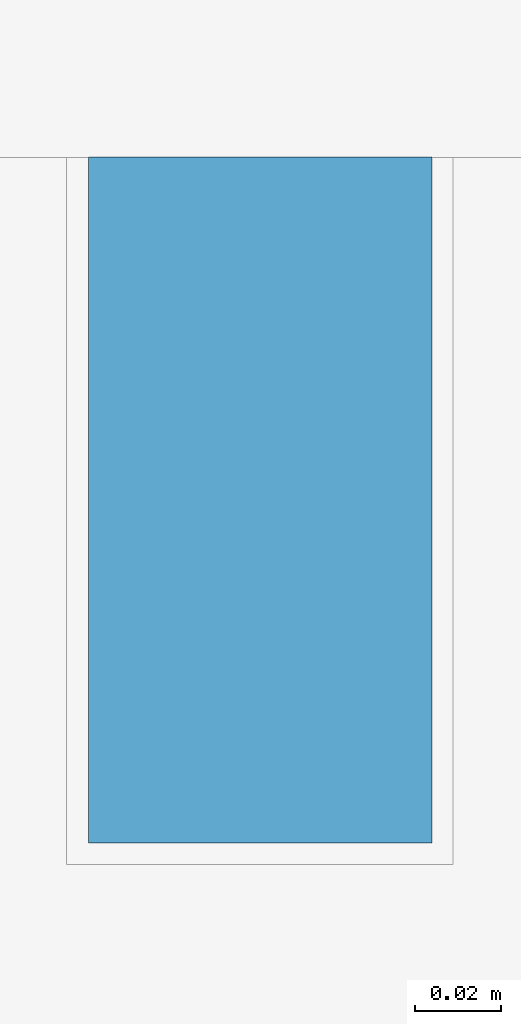
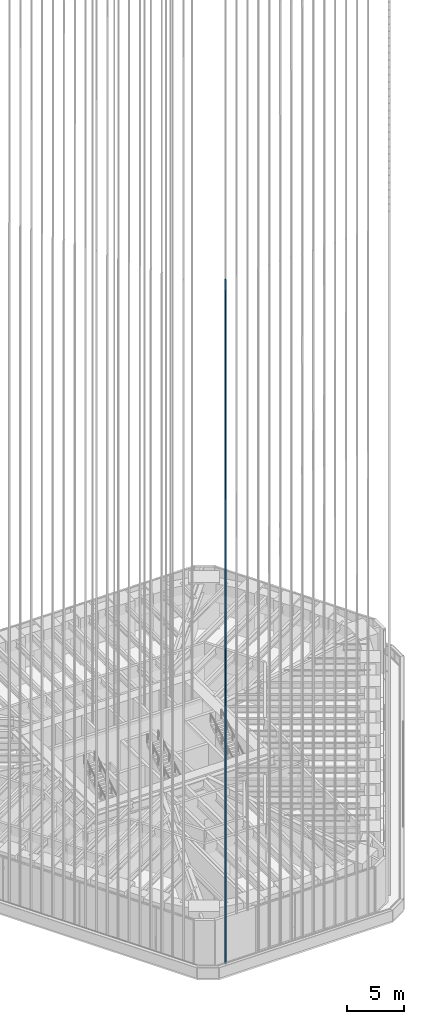
# One storey, part 17 of 228: 1 member, 1 element without a shape of its own.
"""IFC4 building model written with IfcOpenShell, lengths in metres."""

from ifc_helpers import new_model, si_unit, direction, frame, origin, origin_2d, place, context, subcontext, project, spatial, rectangle, extrude, material, material_profile, profile_set, type_object, element, aggregate, save


model = new_model("IFC4")

# Units and contexts
model_context = context("Model", 3, precision=1e-05, world=origin(), true_north=direction((0.0, 1.0)))
body_context = subcontext(model_context, "Body", "Model", "MODEL_VIEW")
ifc_project = project(units=[si_unit("LENGTHUNIT", "METRE"), si_unit("AREAUNIT", "SQUARE_METRE"), si_unit("VOLUMEUNIT", "CUBIC_METRE"), si_unit("PLANEANGLEUNIT", "RADIAN"), si_unit("MASSUNIT", "GRAM", prefix="KILO")], contexts=[model_context])

# Site, building, storey
site_placement = place(None, origin())
site = spatial("IfcSite", under=ifc_project, at=site_placement, CompositionType="ELEMENT")
building_placement = place(site_placement, origin())
building = spatial("IfcBuilding", under=site, at=building_placement, Name="Sandreach Pilgrim Tower", CompositionType="ELEMENT")
storey_placement = place(building_placement, frame((0.0, 0.0, 178.199951171875)))
storey = spatial("IfcBuildingStorey", under=building, at=storey_placement, Name="L44", CompositionType="ELEMENT", Elevation=178.199951171875)

# Curtain wall, member
ifc_material_1 = material(Name="Aluminium framed curtain wall", Category="aluminium")
curtain_wall_type = type_object("IfcCurtainWallType", Name="Upper hotel tower curtain wall", PredefinedType="NOTDEFINED", material=ifc_material_1)
curtain_wall_placement = place(storey_placement, origin())
curtain_wall = element("IfcCurtainWall", 1, at=curtain_wall_placement, inside=storey, type_object=curtain_wall_type, Name="CW-3 L44 SA", PredefinedType="NOTDEFINED")
ifc_material_2 = material(Name="Extruded terracotta on aluminium core", Category="masonry")
ifc_material_profile = material_profile(ifc_material_2, rectangle(XDim=0.080078125, YDim=0.159912109375, at=origin_2d()), Name="TBS 80X160")
ifc_profile_set = profile_set([ifc_material_profile], Name="Extruded terracotta on aluminium core")
member_type = type_object("IfcMemberType", Name="Terracotta baguette south", PredefinedType="USERDEFINED", material=ifc_profile_set)
member_placement = place(storey_placement, frame((-7.207763671875, -26.905029296875, 0.0), z_axis=(0.0, 0.0, 1.0), x_axis=(-1.0, 0.0, 0.0)))
member = element("IfcMember", 2, at=member_placement, type_object=member_type, Name="Baguette Z3 S14", ObjectType="BAGUETTE", PredefinedType="USERDEFINED", context=body_context, shape_type="SweptSolid", body=[
    extrude(rectangle(XDim=0.080078125, YDim=0.159912109375, at=origin_2d()), origin(), (0.0, 0.0, 1.0), 73.239990234375),
])
aggregate(curtain_wall, [member])

save(model, "model.ifc")
